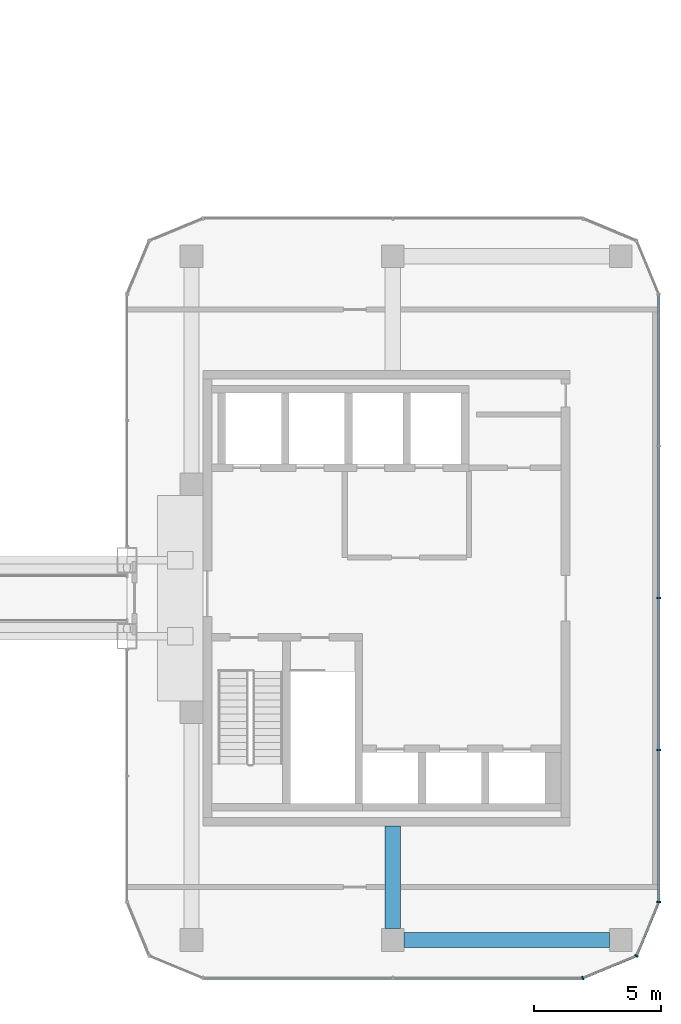
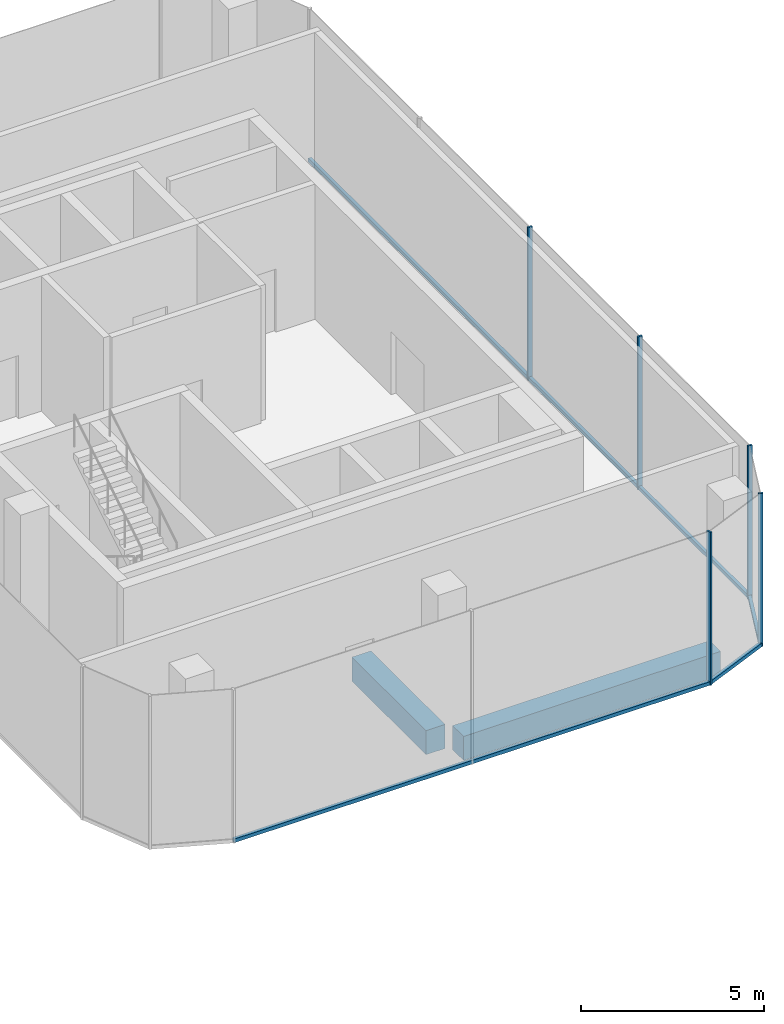
# One storey, part 11 of 23: 9 members, 2 beams, 4 elements without a shape of their own.
"""IFC4 building model written with IfcOpenShell, lengths in metres."""

from ifc_helpers import new_model, si_unit, direction, frame, origin, origin_2d, place, context, subcontext, project, spatial, rectangle, extrude, material, layer, layer_set, material_profile, profile_set, type_object, element, aggregate, save


model = new_model("IFC4")

# Units and contexts
model_context = context("Model", 3, precision=1e-05, world=origin(), true_north=direction((0.0, 1.0)))
body_context = subcontext(model_context, "Body", "Model", "MODEL_VIEW")
ifc_project = project(units=[si_unit("LENGTHUNIT", "METRE"), si_unit("AREAUNIT", "SQUARE_METRE"), si_unit("VOLUMEUNIT", "CUBIC_METRE"), si_unit("PLANEANGLEUNIT", "RADIAN"), si_unit("MASSUNIT", "GRAM", prefix="KILO")], contexts=[model_context])

# Site, building, storey
site_placement = place(None, origin())
site = spatial("IfcSite", under=ifc_project, at=site_placement, CompositionType="ELEMENT")
building_placement = place(site_placement, origin())
building = spatial("IfcBuilding", under=site, at=building_placement, Name="Plateau Cross Towers", CompositionType="ELEMENT")
storey_placement = place(building_placement, frame((0.0, 0.0, 123.800048828125)))
storey = spatial("IfcBuildingStorey", under=building, at=storey_placement, Name="L32", CompositionType="ELEMENT", Elevation=123.800048828125)

# Beam
ifc_material_1 = material(Name="Concrete C60/75", Category="concrete")
ifc_material_profile_1 = material_profile(ifc_material_1, rectangle(XDim=0.60009765625, YDim=0.800048828125, at=origin_2d()), Name="RC 600x800")
ifc_profile_set_1 = profile_set([ifc_material_profile_1], Name="Concrete C60/75")
beam_type_1 = type_object("IfcBeamType", Name="Core beam RC 600x800", PredefinedType="BEAM", material=ifc_profile_set_1)
beam_1_placement = place(storey_placement, frame((82.5, 0.0, -0.699951171875), z_axis=(0.0, -1.0, 0.0), x_axis=(1.0, 0.0, 0.0)))
element("IfcBeam", 1, at=beam_1_placement, inside=storey, type_object=beam_type_1, Name="B-CB01@L32", PredefinedType="BEAM", context=body_context, shape_type="SweptSolid", body=[
    extrude(rectangle(XDim=0.60009765625, YDim=0.800048828125, at=origin_2d()), origin(), (0.0, 0.0, 1.0), 4.050048828125),
])

# Curtain wall, member
ifc_material_2 = material(Name="Dark low-iron glass", Category="glass")
ifc_layer = layer(ifc_material_2, 0.239990234375)
ifc_layer_set = layer_set([ifc_layer], Name="Dark low-iron glass")
curtain_wall_type = type_object("IfcCurtainWallType", Name="Curtain wall office unitised CW-F", PredefinedType="NOTDEFINED", material=ifc_layer_set)
curtain_wall_1_placement = place(storey_placement, origin())
curtain_wall_1 = element("IfcCurtainWall", 2, at=curtain_wall_1_placement, inside=storey, type_object=curtain_wall_type, Name="ENV/B/L32/B900_-60", PredefinedType="NOTDEFINED")
ifc_material_3 = material(Name="Black anodised aluminium", Category="aluminium")
ifc_material_profile_2 = material_profile(ifc_material_3, rectangle(XDim=0.06005859375, YDim=0.139892578125, at=origin_2d()), Name="MULLION 60x140")
ifc_profile_set_2 = profile_set([ifc_material_profile_2], Name="Black anodised aluminium")
member_type_1 = type_object("IfcMemberType", Name="Mullion 60x140 office unitised", PredefinedType="MULLION", material=ifc_profile_set_2)
member_1_placement = place(storey_placement, frame((90.0, -6.0, -0.300048828125), z_axis=(0.0, 0.0, 1.0), x_axis=(0.923879457699, 0.382683612978, 0.0)))
member_1 = element("IfcMember", 3, at=member_1_placement, type_object=member_type_1, Name="CW-F mullion 1", PredefinedType="MULLION", context=body_context, shape_type="SweptSolid", body=[
    extrude(rectangle(XDim=0.06005859375, YDim=0.139892578125, at=origin_2d()), origin(), (0.0, 0.0, 1.0), 5.10009765625),
])

curtain_wall_2_placement = place(storey_placement, origin())
curtain_wall_2 = element("IfcCurtainWall", 4, at=curtain_wall_2_placement, inside=storey, type_object=curtain_wall_type, Name="ENV/B/L32/B921_-51", PredefinedType="NOTDEFINED")
member_2_placement = place(storey_placement, frame((92.121337890625, -5.121337890625, -0.300048828125), z_axis=(0.0, 0.0, 1.0), x_axis=(0.382683612978, 0.923879457699, 0.0)))
member_2 = element("IfcMember", 5, at=member_2_placement, type_object=member_type_1, Name="CW-F mullion 1", PredefinedType="MULLION", context=body_context, shape_type="SweptSolid", body=[
    extrude(rectangle(XDim=0.06005859375, YDim=0.139892578125, at=origin_2d()), origin(), (0.0, 0.0, 1.0), 5.10009765625),
])

# Curtain wall, members
curtain_wall_3_placement = place(storey_placement, origin())
curtain_wall_3 = element("IfcCurtainWall", 6, at=curtain_wall_3_placement, inside=storey, type_object=curtain_wall_type, Name="ENV/B/L32/B930_-30", PredefinedType="NOTDEFINED")
member_3_placement = place(storey_placement, frame((93.0, -3.0, -0.300048828125), z_axis=(0.0, 0.0, 1.0), x_axis=(0.0, 1.0, 0.0)))
member_3 = element("IfcMember", 7, at=member_3_placement, type_object=member_type_1, Name="CW-F mullion 1", PredefinedType="MULLION", context=body_context, shape_type="SweptSolid", body=[
    extrude(rectangle(XDim=0.06005859375, YDim=0.139892578125, at=origin_2d()), origin(), (0.0, 0.0, 1.0), 5.10009765625),
])
member_4_placement = place(storey_placement, frame((93.0, 3.0, -0.300048828125), z_axis=(0.0, 0.0, 1.0), x_axis=(0.0, 1.0, 0.0)))
member_4 = element("IfcMember", 8, at=member_4_placement, type_object=member_type_1, Name="CW-F mullion 2", PredefinedType="MULLION", context=body_context, shape_type="SweptSolid", body=[
    extrude(rectangle(XDim=0.06005859375, YDim=0.139892578125, at=origin_2d()), origin(), (0.0, 0.0, 1.0), 5.10009765625),
])
member_5_placement = place(storey_placement, frame((93.0, 9.0, -0.300048828125), z_axis=(0.0, 0.0, 1.0), x_axis=(0.0, 1.0, 0.0)))
member_5 = element("IfcMember", 9, at=member_5_placement, type_object=member_type_1, Name="CW-F mullion 3", PredefinedType="MULLION", context=body_context, shape_type="SweptSolid", body=[
    extrude(rectangle(XDim=0.06005859375, YDim=0.139892578125, at=origin_2d()), origin(), (0.0, 0.0, 1.0), 5.10009765625),
])

# Beam
ifc_material_profile_3 = material_profile(ifc_material_1, rectangle(XDim=0.60009765625, YDim=0.800048828125, at=origin_2d()), Name="RC 600x800")
ifc_profile_set_3 = profile_set([ifc_material_profile_3], Name="Concrete C60/75")
beam_type_2 = type_object("IfcBeamType", Name="Ring beam RC 600x800", PredefinedType="BEAM", material=ifc_profile_set_3)
beam_2_placement = place(storey_placement, frame((82.949951171875, -4.5, -0.699951171875), z_axis=(1.0, 0.0, 0.0), x_axis=(0.0, 1.0, 0.0)))
element("IfcBeam", 10, at=beam_2_placement, inside=storey, type_object=beam_type_2, Name="B-RB01@L32", PredefinedType="BEAM", context=body_context, shape_type="SweptSolid", body=[
    extrude(rectangle(XDim=0.60009765625, YDim=0.800048828125, at=origin_2d()), origin(), (0.0, 0.0, 1.0), 8.10009765625),
])

# Curtain wall, member
curtain_wall_4_placement = place(storey_placement, origin())
curtain_wall_4 = element("IfcCurtainWall", 11, at=curtain_wall_4_placement, inside=storey, type_object=curtain_wall_type, Name="ENV/B/L32/B750_-60", PredefinedType="NOTDEFINED")
ifc_material_profile_4 = material_profile(ifc_material_3, rectangle(XDim=0.10009765625, YDim=0.1201171875, at=origin_2d()), Name="TRANSOM 100x120")
ifc_profile_set_4 = profile_set([ifc_material_profile_4], Name="Black anodised aluminium")
member_type_2 = type_object("IfcMemberType", Name="Transom 100x120 office unitised", PredefinedType="USERDEFINED", material=ifc_profile_set_4)
member_6_placement = place(storey_placement, frame((75.0, -6.0, -0.239990234375), z_axis=(1.0, 0.0, 0.0), x_axis=(0.0, 1.0, 0.0)))
member_6 = element("IfcMember", 12, at=member_6_placement, type_object=member_type_2, Name="CW-F transom", ObjectType="TRANSOM", PredefinedType="USERDEFINED", context=body_context, shape_type="SweptSolid", body=[
    extrude(rectangle(XDim=0.10009765625, YDim=0.1201171875, at=origin_2d()), origin(), (0.0, 0.0, 1.0), 15.0),
])
aggregate(curtain_wall_4, [member_6])

# Member
member_7_placement = place(storey_placement, frame((90.0, -6.0, -0.239990234375), z_axis=(0.923883353507, 0.382674207535, 0.0), x_axis=(-0.382674207535, 0.923883353507, 0.0)))
member_7 = element("IfcMember", 13, at=member_7_placement, type_object=member_type_2, Name="CW-F transom", ObjectType="TRANSOM", PredefinedType="USERDEFINED", context=body_context, shape_type="SweptSolid", body=[
    extrude(rectangle(XDim=0.10009765625, YDim=0.1201171875, at=origin_2d()), origin(), (0.0, 0.0, 1.0), 2.296142578125),
])

aggregate(curtain_wall_1, [member_1, member_7])

member_8_placement = place(storey_placement, frame((92.121337890625, -5.121337890625, -0.239990234375), z_axis=(0.382674207535, 0.923883353507, 0.0), x_axis=(-0.923883353507, 0.382674207535, 0.0)))
member_8 = element("IfcMember", 14, at=member_8_placement, type_object=member_type_2, Name="CW-F transom", ObjectType="TRANSOM", PredefinedType="USERDEFINED", context=body_context, shape_type="SweptSolid", body=[
    extrude(rectangle(XDim=0.10009765625, YDim=0.1201171875, at=origin_2d()), origin(), (0.0, 0.0, 1.0), 2.296142578125),
])

aggregate(curtain_wall_2, [member_2, member_8])

member_9_placement = place(storey_placement, frame((93.0, -3.0, -0.239990234375), z_axis=(0.0, 1.0, 0.0), x_axis=(-1.0, 0.0, 0.0)))
member_9 = element("IfcMember", 15, at=member_9_placement, type_object=member_type_2, Name="CW-F transom", ObjectType="TRANSOM", PredefinedType="USERDEFINED", context=body_context, shape_type="SweptSolid", body=[
    extrude(rectangle(XDim=0.10009765625, YDim=0.1201171875, at=origin_2d()), origin(), (0.0, 0.0, 1.0), 24.0),
])

aggregate(curtain_wall_3, [member_3, member_4, member_5, member_9])

save(model, "model.ifc")
